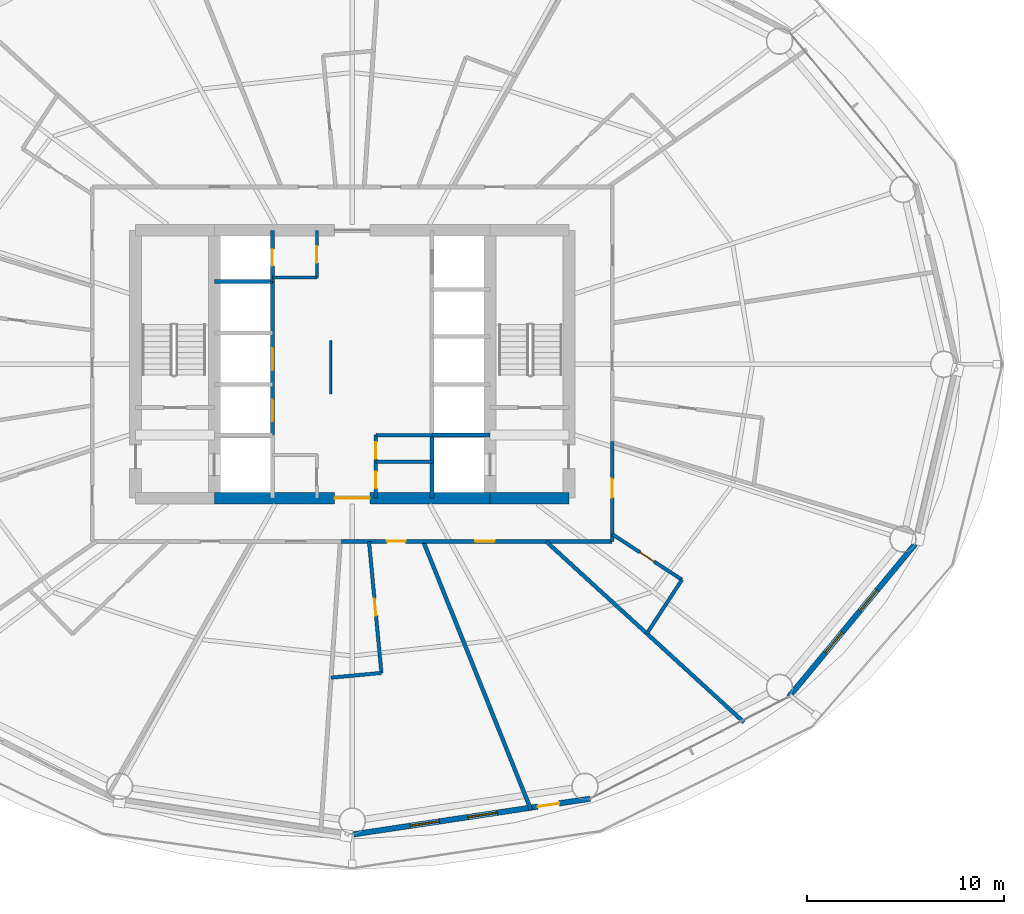
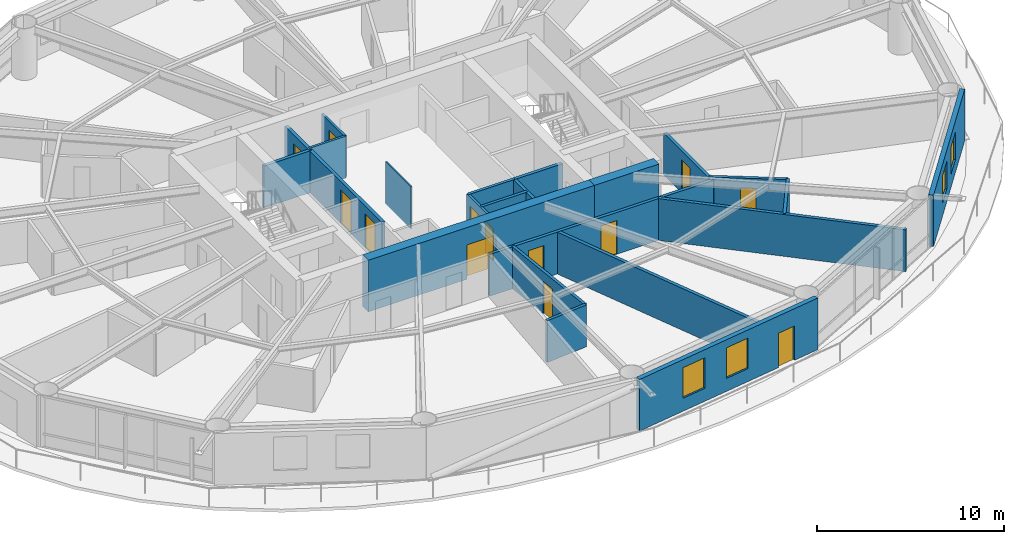
# One storey, part 21 of 26: 23 walls, 13 doors, 4 windows, 17 openings.
"""IFC4 building model written with IfcOpenShell, lengths in metres."""

from ifc_helpers import new_model, si_unit, direction, frame, frame_2d, origin, place, context, subcontext, project, spatial, rectangle, extrude, material, layer, layer_set, type_object, element, fill, save


model = new_model("IFC4")

# Units and contexts
model_context = context("Model", 3, precision=1e-05, world=origin(), true_north=direction((0.0, 1.0)))
body_context = subcontext(model_context, "Body", "Model", "MODEL_VIEW")
ifc_project = project(units=[si_unit("LENGTHUNIT", "METRE"), si_unit("AREAUNIT", "SQUARE_METRE"), si_unit("VOLUMEUNIT", "CUBIC_METRE"), si_unit("PLANEANGLEUNIT", "RADIAN"), si_unit("MASSUNIT", "GRAM", prefix="KILO")], contexts=[model_context])

# Site, building, storey
site_placement = place(None, origin())
site = spatial("IfcSite", under=ifc_project, at=site_placement, CompositionType="ELEMENT")
building_placement = place(site_placement, origin())
building = spatial("IfcBuilding", under=site, at=building_placement, Name="Sarneth Arch Tower", CompositionType="ELEMENT")
storey_placement = place(building_placement, frame((0.0, 0.0, 60.60009765625)))
storey = spatial("IfcBuildingStorey", under=building, at=storey_placement, Name="L14", CompositionType="ELEMENT", Elevation=60.60009765625)

# Wall, opening, door
ifc_material_1 = material(Name="Concrete C60/75", Category="concrete")
ifc_layer_1 = layer(ifc_material_1, 0.60009765625)
ifc_layer_set_1 = layer_set([ifc_layer_1], Name="Concrete C60/75")
wall_type_1 = type_object("IfcWallType", Name="WALL-CORE-600", PredefinedType="SHEAR", material=ifc_layer_set_1)
wall_1_placement = place(storey_placement, frame((41.0, 35.199951171875, 0.0), z_axis=(0.0, 0.0, 1.0), x_axis=(1.0, 0.0, 0.0)))
wall_1 = element("IfcWall", 1, at=wall_1_placement, inside=storey, type_object=wall_type_1, Name="L14 Core shear wall S-M", PredefinedType="SHEAR", context=body_context, shape_type="SweptSolid", body=[
    extrude(rectangle(XDim=14.0, YDim=0.60009765625, at=frame_2d((7.0, 0.0))), origin(), (0.0, 0.0, 1.0), 3.3798828125),
])
opening_1_placement = place(wall_1_placement, frame((6.10009765625, 0.0, 0.0)))
opening_1 = element("IfcOpeningElement", 2, at=opening_1_placement, cuts=wall_1, Name="Opening FD-01", PredefinedType="OPENING", context=body_context, shape_type="SweptSolid", body=[
    extrude(rectangle(XDim=1.800048828125, YDim=2.25, at=frame_2d((0.89990234375, 1.125))), frame((0.0, 0.31005859375, 0.0), z_axis=(0.0, -1.0, 0.0), x_axis=(1.0, 0.0, 0.0)), (0.0, 0.0, 1.0), 0.6201171875),
])
ifc_material_2 = material(Name="Galvanised Steel S275 fire door set", Category="steel")
door_type_1 = type_object("IfcDoorType", Name="DR-FD90-1800", OperationType="DOUBLE_DOOR_SINGLE_SWING", PredefinedType="DOOR", material=ifc_material_2)
door_1_placement = place(opening_1_placement, origin())
door_1 = element("IfcDoor", 3, at=door_1_placement, inside=storey, type_object=door_type_1, Name="L14 Central lift lobby south door", OperationType="DOUBLE_DOOR_SINGLE_SWING", OverallHeight=2.25, OverallWidth=1.800048828125, PredefinedType="DOOR", context=body_context, shape_type="SweptSolid", body=[
    extrude(rectangle(XDim=1.800048828125, YDim=2.25, at=frame_2d((0.89990234375, 1.125))), frame((0.0, 0.02490234375, 0.0), z_axis=(0.0, -1.0, 0.0), x_axis=(1.0, 0.0, 0.0)), (0.0, 0.0, 1.0), 0.050048828125),
])
fill(opening_1, door_1)

# Wall
wall_2_placement = place(storey_placement, frame((55.0, 35.199951171875, 0.0), z_axis=(0.0, 0.0, 1.0), x_axis=(1.0, 0.0, 0.0)))
element("IfcWall", 4, at=wall_2_placement, inside=storey, type_object=wall_type_1, Name="L14 Core shear wall S-E", PredefinedType="SHEAR", context=body_context, shape_type="SweptSolid", body=[
    extrude(rectangle(XDim=4.0, YDim=0.60009765625, at=frame_2d((2.0, 0.0))), origin(), (0.0, 0.0, 1.0), 3.3798828125),
])

# Wall, openings, doors
ifc_material_3 = material(Name="Double steel-stud corridor fire wall", Category="steel")
ifc_layer_2 = layer(ifc_material_3, 0.18994140625)
ifc_layer_set_2 = layer_set([ifc_layer_2], Name="Double steel-stud corridor fire wall")
wall_type_2 = type_object("IfcWallType", Name="WALL-CORR-190", PredefinedType="PARTITIONING", material=ifc_layer_set_2)
wall_3_placement = place(storey_placement, frame((61.199951171875, 33.0, 0.0), z_axis=(0.0, 0.0, 1.0), x_axis=(-1.0, 0.0, 0.0)))
wall_3 = element("IfcWall", 5, at=wall_3_placement, inside=storey, type_object=wall_type_2, Name="L14 Interior partition W-L14-TP-023", PredefinedType="PARTITIONING", context=body_context, shape_type="SweptSolid", body=[
    extrude(rectangle(XDim=13.8388671875, YDim=0.18994140625, at=frame_2d((6.91943359375, 0.0))), origin(), (0.0, 0.0, 1.0), 2.739990234375),
])
opening_2_placement = place(wall_3_placement, frame((5.96533203125, 0.0, 0.0)))
opening_2 = element("IfcOpeningElement", 6, at=opening_2_placement, cuts=wall_3, Name="Opening FD-08", PredefinedType="OPENING", context=body_context, shape_type="SweptSolid", body=[
    extrude(rectangle(XDim=1.0, YDim=2.199951171875, at=frame_2d((0.5, 1.10009765625))), frame((0.0, 0.10498046875, 0.0), z_axis=(0.0, -1.0, 0.0), x_axis=(1.0, 0.0, 0.0)), (0.0, 0.0, 1.0), 0.2099609375),
])
opening_3_placement = place(wall_3_placement, frame((10.493408203125, 0.0, 0.0)))
opening_3 = element("IfcOpeningElement", 7, at=opening_3_placement, cuts=wall_3, Name="Opening FD-09", PredefinedType="OPENING", context=body_context, shape_type="SweptSolid", body=[
    extrude(rectangle(XDim=0.949951171875, YDim=2.14990234375, at=frame_2d((0.47509765625, 1.074951171875))), frame((0.0, 0.10498046875, 0.0), z_axis=(0.0, -1.0, 0.0), x_axis=(1.0, 0.0, 0.0)), (0.0, 0.0, 1.0), 0.2099609375),
])
ifc_material_4 = material(Name="Hardwood timber acoustic fire door", Category="wood")
door_type_2 = type_object("IfcDoorType", Name="DR-FD60-1000", OperationType="SINGLE_SWING_LEFT", PredefinedType="DOOR", material=ifc_material_4)
door_2_placement = place(opening_2_placement, origin())
door_2 = element("IfcDoor", 8, at=door_2_placement, inside=storey, type_object=door_type_2, Name="L14 Interior door DR-L14-AMN-12", OperationType="SINGLE_SWING_LEFT", OverallHeight=2.199951171875, OverallWidth=1.0, PredefinedType="DOOR", context=body_context, shape_type="SweptSolid", body=[
    extrude(rectangle(XDim=1.0, YDim=2.199951171875, at=frame_2d((0.5, 1.10009765625))), frame((0.0, 0.02490234375, 0.0), z_axis=(0.0, -1.0, 0.0), x_axis=(1.0, 0.0, 0.0)), (0.0, 0.0, 1.0), 0.050048828125),
])
fill(opening_2, door_2)
ifc_material_5 = material(Name="Hardwood timber hotel entrance fire door", Category="wood")
door_type_3 = type_object("IfcDoorType", Name="DR-FD60-950", OperationType="SINGLE_SWING_RIGHT", PredefinedType="DOOR", material=ifc_material_5)
door_3_placement = place(opening_3_placement, origin())
door_3 = element("IfcDoor", 9, at=door_3_placement, inside=storey, type_object=door_type_3, Name="L14 Interior door DR-L14-KEY-11", OperationType="SINGLE_SWING_LEFT", OverallHeight=2.14990234375, OverallWidth=0.949951171875, PredefinedType="DOOR", context=body_context, shape_type="SweptSolid", body=[
    extrude(rectangle(XDim=0.949951171875, YDim=2.14990234375, at=frame_2d((0.47509765625, 1.074951171875))), frame((0.0, 0.02490234375, 0.0), z_axis=(0.0, -1.0, 0.0), x_axis=(1.0, 0.0, 0.0)), (0.0, 0.0, 1.0), 0.050048828125),
])
fill(opening_3, door_3)

# Wall, opening, door
wall_4_placement = place(storey_placement, frame((61.199951171875, 38.069580078125, 0.0), z_axis=(0.0, 0.0, 1.0), x_axis=(0.0, -1.0, 0.0)))
wall_4 = element("IfcWall", 10, at=wall_4_placement, inside=storey, type_object=wall_type_2, Name="L14 Interior partition W-L14-TP-024", PredefinedType="PARTITIONING", context=body_context, shape_type="SweptSolid", body=[
    extrude(rectangle(XDim=5.069580078125, YDim=0.18994140625, at=frame_2d((2.53466796875, 0.0))), origin(), (0.0, 0.0, 1.0), 2.739990234375),
])
opening_4_placement = place(wall_4_placement, frame((1.89306640625, 0.0, 0.0)))
opening_4 = element("IfcOpeningElement", 11, at=opening_4_placement, cuts=wall_4, Name="Opening FD-09", PredefinedType="OPENING", context=body_context, shape_type="SweptSolid", body=[
    extrude(rectangle(XDim=0.949951171875, YDim=2.14990234375, at=frame_2d((0.47509765625, 1.074951171875))), frame((0.0, 0.10498046875, 0.0), z_axis=(0.0, -1.0, 0.0), x_axis=(1.0, 0.0, 0.0)), (0.0, 0.0, 1.0), 0.2099609375),
])
door_4_placement = place(opening_4_placement, origin())
door_4 = element("IfcDoor", 12, at=door_4_placement, inside=storey, type_object=door_type_3, Name="L14 Interior door DR-L14-KEY-13", OperationType="SINGLE_SWING_RIGHT", OverallHeight=2.14990234375, OverallWidth=0.949951171875, PredefinedType="DOOR", context=body_context, shape_type="SweptSolid", body=[
    extrude(rectangle(XDim=0.949951171875, YDim=2.14990234375, at=frame_2d((0.47509765625, 1.074951171875))), frame((0.0, 0.02490234375, 0.0), z_axis=(0.0, -1.0, 0.0), x_axis=(1.0, 0.0, 0.0)), (0.0, 0.0, 1.0), 0.050048828125),
])
fill(opening_4, door_4)

# Wall, openings, door, windows
ifc_material_6 = material(Name="Extruded terracotta rainscreen on Concrete C40/50 backing", Category="masonry")
ifc_layer_3 = layer(ifc_material_6, 0.280029296875)
ifc_layer_set_3 = layer_set([ifc_layer_3], Name="Extruded terracotta rainscreen on Concrete C40/50 backing")
wall_type_3 = type_object("IfcWallType", Name="WALL-EXT-TERRA-280", PredefinedType="SOLIDWALL", material=ifc_layer_set_3)
wall_5_placement = place(storey_placement, frame((48.0, 18.1201171875, 0.0), z_axis=(0.0, 0.0, 1.0), x_axis=(0.988864835849, 0.148816452121, 0.0)))
wall_5 = element("IfcWall", 13, at=wall_5_placement, inside=storey, type_object=wall_type_3, Name="L14 Terracotta perimeter wall 13", PredefinedType="SOLIDWALL", context=body_context, shape_type="SweptSolid", body=[
    extrude(rectangle(XDim=12.2138671875, YDim=0.280029296875, at=frame_2d((6.10693359375, 0.0))), origin(), (0.0, 0.0, 1.0), 3.3798828125),
])
opening_5_placement = place(wall_5_placement, frame((2.9716796875, 0.0, 0.85009765625)))
opening_5 = element("IfcOpeningElement", 14, at=opening_5_placement, cuts=wall_5, Name="Opening W-06", PredefinedType="OPENING", context=body_context, shape_type="SweptSolid", body=[
    extrude(rectangle(XDim=1.5, YDim=2.0, at=frame_2d((0.75, 1.0))), frame((0.0, 0.14990234375, 0.0), z_axis=(0.0, -1.0, 0.0), x_axis=(1.0, 0.0, 0.0)), (0.0, 0.0, 1.0), 0.300048828125),
])
opening_6_placement = place(wall_5_placement, frame((5.9423828125, 0.0, 0.85009765625)))
opening_6 = element("IfcOpeningElement", 15, at=opening_6_placement, cuts=wall_5, Name="Opening W-06", PredefinedType="OPENING", context=body_context, shape_type="SweptSolid", body=[
    extrude(rectangle(XDim=1.5, YDim=2.0, at=frame_2d((0.75, 1.0))), frame((0.0, 0.14990234375, 0.0), z_axis=(0.0, -1.0, 0.0), x_axis=(1.0, 0.0, 0.0)), (0.0, 0.0, 1.0), 0.300048828125),
])
opening_7_placement = place(wall_5_placement, frame((9.520263671875, 0.0, 0.0)))
opening_7 = element("IfcOpeningElement", 16, at=opening_7_placement, cuts=wall_5, Name="Opening BD-3", PredefinedType="OPENING", context=body_context, shape_type="SweptSolid", body=[
    extrude(rectangle(XDim=1.10009765625, YDim=2.25, at=frame_2d((0.550048828125, 1.125))), frame((0.0, 0.14990234375, 0.0), z_axis=(0.0, -1.0, 0.0), x_axis=(1.0, 0.0, 0.0)), (0.0, 0.0, 1.0), 0.300048828125),
])
ifc_material_7 = material(Name="Thermally broken Aluminium 6063-T6 and laminated safety glass", Category="aluminium")
door_type_4 = type_object("IfcDoorType", Name="DR-BALC-GLZ-1100", OperationType="SINGLE_SWING_LEFT", PredefinedType="DOOR", material=ifc_material_7)
door_5_placement = place(opening_7_placement, origin())
door_5 = element("IfcDoor", 17, at=door_5_placement, inside=storey, type_object=door_type_4, Name="L14 Balcony glazed door 13", OperationType="SINGLE_SWING_LEFT", OverallHeight=2.25, OverallWidth=1.10009765625, PredefinedType="DOOR", context=body_context, shape_type="SweptSolid", body=[
    extrude(rectangle(XDim=1.10009765625, YDim=2.25, at=frame_2d((0.550048828125, 1.125))), frame((0.0, 0.02490234375, 0.0), z_axis=(0.0, -1.0, 0.0), x_axis=(1.0, 0.0, 0.0)), (0.0, 0.0, 1.0), 0.050048828125),
])
fill(opening_7, door_5)
ifc_material_8 = material(Name="Thermally broken Aluminium 6063-T6 and low-e laminated IGU", Category="aluminium")
window_type_1 = type_object("IfcWindowType", Name="WIN-TWR-1500x2000", PartitioningType="SINGLE_PANEL", PredefinedType="WINDOW", material=ifc_material_8)
window_1_placement = place(opening_5_placement, origin())
window_1 = element("IfcWindow", 18, at=window_1_placement, inside=storey, type_object=window_type_1, Name="L14 Exterior window 13A", OverallHeight=2.0, OverallWidth=1.5, PartitioningType="SINGLE_PANEL", PredefinedType="WINDOW", context=body_context, shape_type="SweptSolid", body=[
    extrude(rectangle(XDim=1.5, YDim=2.0, at=frame_2d((0.75, 1.0))), frame((0.0, 0.030029296875, 0.0), z_axis=(0.0, -1.0, 0.0), x_axis=(1.0, 0.0, 0.0)), (0.0, 0.0, 1.0), 0.06005859375),
])
fill(opening_5, window_1)
window_2_placement = place(opening_6_placement, origin())
window_2 = element("IfcWindow", 19, at=window_2_placement, inside=storey, type_object=window_type_1, Name="L14 Exterior window 13B", OverallHeight=2.0, OverallWidth=1.5, PartitioningType="SINGLE_PANEL", PredefinedType="WINDOW", context=body_context, shape_type="SweptSolid", body=[
    extrude(rectangle(XDim=1.5, YDim=2.0, at=frame_2d((0.75, 1.0))), frame((0.0, 0.030029296875, 0.0), z_axis=(0.0, -1.0, 0.0), x_axis=(1.0, 0.0, 0.0)), (0.0, 0.0, 1.0), 0.06005859375),
])
fill(opening_6, window_2)

# Wall, openings, windows
wall_6_placement = place(storey_placement, frame((70.174072265625, 25.1142578125, 0.0), z_axis=(0.0, 0.0, 1.0), x_axis=(0.637296809613, 0.770618437657, 0.0)))
wall_6 = element("IfcWall", 20, at=wall_6_placement, inside=storey, type_object=wall_type_3, Name="L14 Terracotta perimeter wall 15", PredefinedType="SOLIDWALL", context=body_context, shape_type="SweptSolid", body=[
    extrude(rectangle(XDim=10.053466796875, YDim=0.280029296875, at=frame_2d((5.02685546875, 0.0))), origin(), (0.0, 0.0, 1.0), 3.3798828125),
])
opening_8_placement = place(wall_6_placement, frame((2.89794921875, 0.0, 0.85009765625)))
opening_8 = element("IfcOpeningElement", 21, at=opening_8_placement, cuts=wall_6, Name="Opening W-08", PredefinedType="OPENING", context=body_context, shape_type="SweptSolid", body=[
    extrude(rectangle(XDim=1.35009765625, YDim=1.800048828125, at=frame_2d((0.675048828125, 0.89990234375))), frame((0.0, 0.14990234375, 0.0), z_axis=(0.0, -1.0, 0.0), x_axis=(1.0, 0.0, 0.0)), (0.0, 0.0, 1.0), 0.300048828125),
])
opening_9_placement = place(wall_6_placement, frame((5.6796875, 0.0, 0.85009765625)))
opening_9 = element("IfcOpeningElement", 22, at=opening_9_placement, cuts=wall_6, Name="Opening W-08", PredefinedType="OPENING", context=body_context, shape_type="SweptSolid", body=[
    extrude(rectangle(XDim=1.35009765625, YDim=1.800048828125, at=frame_2d((0.675048828125, 0.89990234375))), frame((0.0, 0.14990234375, 0.0), z_axis=(0.0, -1.0, 0.0), x_axis=(1.0, 0.0, 0.0)), (0.0, 0.0, 1.0), 0.300048828125),
])
ifc_material_9 = material(Name="Thermally broken Aluminium 6063-T6 and low-e laminated IGU", Category="aluminium")
window_type_2 = type_object("IfcWindowType", Name="WIN-TWR-1350x1800", PartitioningType="SINGLE_PANEL", PredefinedType="WINDOW", material=ifc_material_9)
window_3_placement = place(opening_8_placement, origin())
window_3 = element("IfcWindow", 23, at=window_3_placement, inside=storey, type_object=window_type_2, Name="L14 Exterior window 15A", OverallHeight=1.800048828125, OverallWidth=1.35009765625, PartitioningType="SINGLE_PANEL", PredefinedType="WINDOW", context=body_context, shape_type="SweptSolid", body=[
    extrude(rectangle(XDim=1.35009765625, YDim=1.800048828125, at=frame_2d((0.675048828125, 0.89990234375))), frame((0.0, 0.030029296875, 0.0), z_axis=(0.0, -1.0, 0.0), x_axis=(1.0, 0.0, 0.0)), (0.0, 0.0, 1.0), 0.06005859375),
])
fill(opening_8, window_3)
window_4_placement = place(opening_9_placement, origin())
window_4 = element("IfcWindow", 24, at=window_4_placement, inside=storey, type_object=window_type_2, Name="L14 Exterior window 15B", OverallHeight=1.800048828125, OverallWidth=1.35009765625, PartitioningType="SINGLE_PANEL", PredefinedType="WINDOW", context=body_context, shape_type="SweptSolid", body=[
    extrude(rectangle(XDim=1.35009765625, YDim=1.800048828125, at=frame_2d((0.675048828125, 0.89990234375))), frame((0.0, 0.030029296875, 0.0), z_axis=(0.0, -1.0, 0.0), x_axis=(1.0, 0.0, 0.0)), (0.0, 0.0, 1.0), 0.06005859375),
])
fill(opening_9, window_4)

# Walls
ifc_material_10 = material(Name="Demountable acoustic operable wall", Category="aluminium")
ifc_layer_4 = layer(ifc_material_10, 0.10009765625)
ifc_layer_set_4 = layer_set([ifc_layer_4], Name="Demountable acoustic operable wall")
wall_type_4 = type_object("IfcWallType", Name="WALL-MOVABLE-100", PredefinedType="MOVABLE", material=ifc_layer_set_4)
wall_7_placement = place(storey_placement, frame((46.89990234375, 40.5, 0.0), z_axis=(0.0, 0.0, 1.0), x_axis=(0.0, 1.0, 0.0)))
element("IfcWall", 25, at=wall_7_placement, inside=storey, type_object=wall_type_4, Name="L14 Lobby acoustic screen 3", PredefinedType="MOVABLE", context=body_context, shape_type="SweptSolid", body=[
    extrude(rectangle(XDim=2.699951171875, YDim=0.10009765625, at=frame_2d((1.35009765625, 0.0))), origin(), (0.0, 0.0, 1.0), 2.739990234375),
])
ifc_material_11 = material(Name="Acoustic gypsum stud partition", Category="gypsum")
ifc_layer_5 = layer(ifc_material_11, 0.14990234375)
ifc_layer_set_5 = layer_set([ifc_layer_5], Name="Acoustic gypsum stud partition")
wall_type_5 = type_object("IfcWallType", Name="WALL-PART-150", PredefinedType="PARTITIONING", material=ifc_layer_set_5)
wall_8_placement = place(storey_placement, frame((43.949951171875, 46.39990234375, 0.0), z_axis=(0.0, 0.0, 1.0), x_axis=(1.0, 0.0, 0.0)))
element("IfcWall", 26, at=wall_8_placement, inside=storey, type_object=wall_type_5, Name="L14 Interior partition W-L14-CSUP2-S", PredefinedType="PARTITIONING", context=body_context, shape_type="SweptSolid", body=[
    extrude(rectangle(XDim=2.25, YDim=0.14990234375, at=frame_2d((1.125, 0.0))), origin(), (0.0, 0.0, 1.0), 2.739990234375),
])

# Wall, opening, door
wall_9_placement = place(storey_placement, frame((46.199951171875, 46.39990234375, 0.0), z_axis=(0.0, 0.0, 1.0), x_axis=(0.0, 1.0, 0.0)))
wall_9 = element("IfcWall", 27, at=wall_9_placement, inside=storey, type_object=wall_type_5, Name="L14 Interior partition W-L14-CSUP2-E", PredefinedType="PARTITIONING", context=body_context, shape_type="SweptSolid", body=[
    extrude(rectangle(XDim=2.400146484375, YDim=0.14990234375, at=frame_2d((1.2001953125, 0.0))), origin(), (0.0, 0.0, 1.0), 2.739990234375),
])
opening_10_placement = place(wall_9_placement, frame((0.75, 0.0, 0.0)))
opening_10 = element("IfcOpeningElement", 28, at=opening_10_placement, cuts=wall_9, Name="Opening FD-11", PredefinedType="OPENING", context=body_context, shape_type="SweptSolid", body=[
    extrude(rectangle(XDim=0.85009765625, YDim=2.14990234375, at=frame_2d((0.425048828125, 1.074951171875))), frame((0.0, 0.0849609375, 0.0), z_axis=(0.0, -1.0, 0.0), x_axis=(1.0, 0.0, 0.0)), (0.0, 0.0, 1.0), 0.169921875),
])
ifc_material_12 = material(Name="Galvanised Steel S275 closet fire door", Category="steel")
door_type_5 = type_object("IfcDoorType", Name="DR-FD60-850", OperationType="SINGLE_SWING_LEFT", PredefinedType="DOOR", material=ifc_material_12)
door_6_placement = place(opening_10_placement, origin())
door_6 = element("IfcDoor", 29, at=door_6_placement, inside=storey, type_object=door_type_5, Name="L14 Interior door DR-L14-CSUP2", OperationType="SINGLE_SWING_RIGHT", OverallHeight=2.14990234375, OverallWidth=0.85009765625, PredefinedType="DOOR", context=body_context, shape_type="SweptSolid", body=[
    extrude(rectangle(XDim=0.85009765625, YDim=2.14990234375, at=frame_2d((0.425048828125, 1.074951171875))), frame((0.0, 0.02490234375, 0.0), z_axis=(0.0, -1.0, 0.0), x_axis=(1.0, 0.0, 0.0)), (0.0, 0.0, 1.0), 0.050048828125),
])
fill(opening_10, door_6)

# Walls
ifc_material_13 = material(Name="Moisture-resistant plumbing chase wall", Category="gypsum")
ifc_layer_6 = layer(ifc_material_13, 0.179931640625)
ifc_layer_set_6 = layer_set([ifc_layer_6], Name="Moisture-resistant plumbing chase wall")
wall_type_6 = type_object("IfcWallType", Name="WALL-PLUMB-180", PredefinedType="PLUMBINGWALL", material=ifc_layer_set_6)
for number, where, z_axis, x_axis, name in (
    (30, (49.199951171875, 37.050048828125, 0.0), (0.0, 0.0, 1.0), (1.0, 0.0, 0.0), "L14 Interior partition W-L14-AWC-M"),
    (31, (49.199951171875, 38.39990234375, 0.0), (0.0, 0.0, 1.0), (1.0, 0.0, 0.0), "L14 Interior partition W-L14-AWC-N"),
):
    element("IfcWall", number, at=place(storey_placement, frame(where, z_axis=z_axis, x_axis=x_axis)), inside=storey, type_object=wall_type_6, Name=name, PredefinedType="PLUMBINGWALL", context=body_context, shape_type="SweptSolid", body=[
        extrude(rectangle(XDim=2.85009765625, YDim=0.179931640625, at=frame_2d((1.425048828125, 0.0))), origin(), (0.0, 0.0, 1.0), 2.739990234375),
    ])

# Wall, openings, doors
wall_10_placement = place(storey_placement, frame((49.199951171875, 35.199951171875, 0.0), z_axis=(0.0, 0.0, 1.0), x_axis=(0.0, 1.0, 0.0)))
wall_10 = element("IfcWall", 32, at=wall_10_placement, inside=storey, type_object=wall_type_6, Name="L14 Interior partition W-L14-AWC-W", PredefinedType="PLUMBINGWALL", context=body_context, shape_type="SweptSolid", body=[
    extrude(rectangle(XDim=3.199951171875, YDim=0.179931640625, at=frame_2d((1.60009765625, 0.0))), origin(), (0.0, 0.0, 1.0), 2.739990234375),
])
opening_11_placement = place(wall_10_placement, frame((0.5, 0.0, 0.0)))
opening_11 = element("IfcOpeningElement", 33, at=opening_11_placement, cuts=wall_10, Name="Opening ID-02", PredefinedType="OPENING", context=body_context, shape_type="SweptSolid", body=[
    extrude(rectangle(XDim=0.85009765625, YDim=2.10009765625, at=frame_2d((0.425048828125, 1.050048828125))), frame((0.0, 0.099853515625, 0.0), z_axis=(0.0, -1.0, 0.0), x_axis=(1.0, 0.0, 0.0)), (0.0, 0.0, 1.0), 0.199951171875),
])
opening_12_placement = place(wall_10_placement, frame((2.0, 0.0, 0.0)))
opening_12 = element("IfcOpeningElement", 34, at=opening_12_placement, cuts=wall_10, Name="Opening FD-11", PredefinedType="OPENING", context=body_context, shape_type="SweptSolid", body=[
    extrude(rectangle(XDim=0.85009765625, YDim=2.14990234375, at=frame_2d((0.425048828125, 1.074951171875))), frame((0.0, 0.099853515625, 0.0), z_axis=(0.0, -1.0, 0.0), x_axis=(1.0, 0.0, 0.0)), (0.0, 0.0, 1.0), 0.199951171875),
])
door_7_placement = place(opening_12_placement, origin())
door_7 = element("IfcDoor", 35, at=door_7_placement, inside=storey, type_object=door_type_5, Name="L14 Interior door DR-L14-CSUP3", OperationType="SINGLE_SWING_LEFT", OverallHeight=2.14990234375, OverallWidth=0.85009765625, PredefinedType="DOOR", context=body_context, shape_type="SweptSolid", body=[
    extrude(rectangle(XDim=0.85009765625, YDim=2.14990234375, at=frame_2d((0.425048828125, 1.074951171875))), frame((0.0, 0.02490234375, 0.0), z_axis=(0.0, -1.0, 0.0), x_axis=(1.0, 0.0, 0.0)), (0.0, 0.0, 1.0), 0.050048828125),
])
fill(opening_12, door_7)
ifc_material_14 = material(Name="Moisture-resistant bathroom timber door", Category="wood")
door_type_6 = type_object("IfcDoorType", Name="DR-INT-850", OperationType="SINGLE_SWING_RIGHT", PredefinedType="DOOR", material=ifc_material_14)
door_8_placement = place(opening_11_placement, origin())
door_8 = element("IfcDoor", 36, at=door_8_placement, inside=storey, type_object=door_type_6, Name="L14 Interior door DR-L14-AWC", OperationType="SINGLE_SWING_RIGHT", OverallHeight=2.10009765625, OverallWidth=0.85009765625, PredefinedType="DOOR", context=body_context, shape_type="SweptSolid", body=[
    extrude(rectangle(XDim=0.85009765625, YDim=2.10009765625, at=frame_2d((0.425048828125, 1.050048828125))), frame((0.0, 0.02490234375, 0.0), z_axis=(0.0, -1.0, 0.0), x_axis=(1.0, 0.0, 0.0)), (0.0, 0.0, 1.0), 0.050048828125),
])
fill(opening_11, door_8)

# Wall, opening, door
wall_11_placement = place(storey_placement, frame((49.481689453125, 26.326171875, 0.0), z_axis=(0.0, 0.0, 1.0), x_axis=(-0.094107851527, 0.995562008255, 0.0)))
wall_11 = element("IfcWall", 37, at=wall_11_placement, inside=storey, type_object=wall_type_6, Name="L14 Interior partition W-L14-TP-063", PredefinedType="PLUMBINGWALL", context=body_context, shape_type="SweptSolid", body=[
    extrude(rectangle(XDim=6.70361328125, YDim=0.179931640625, at=frame_2d((3.351806640625, 0.0))), origin(), (0.0, 0.0, 1.0), 2.739990234375),
])
opening_13_placement = place(wall_11_placement, frame((2.9267578125, 0.0, 0.0)))
opening_13 = element("IfcOpeningElement", 38, at=opening_13_placement, cuts=wall_11, Name="Opening ID-02", PredefinedType="OPENING", context=body_context, shape_type="SweptSolid", body=[
    extrude(rectangle(XDim=0.85009765625, YDim=2.10009765625, at=frame_2d((0.425048828125, 1.050048828125))), frame((0.0, 0.099853515625, 0.0), z_axis=(0.0, -1.0, 0.0), x_axis=(1.0, 0.0, 0.0)), (0.0, 0.0, 1.0), 0.199951171875),
])
door_9_placement = place(opening_13_placement, origin())
door_9 = element("IfcDoor", 39, at=door_9_placement, inside=storey, type_object=door_type_6, Name="L14 Interior door DR-L14-ENS-11", OperationType="SINGLE_SWING_RIGHT", OverallHeight=2.10009765625, OverallWidth=0.85009765625, PredefinedType="DOOR", context=body_context, shape_type="SweptSolid", body=[
    extrude(rectangle(XDim=0.85009765625, YDim=2.10009765625, at=frame_2d((0.425048828125, 1.050048828125))), frame((0.0, 0.02490234375, 0.0), z_axis=(0.0, -1.0, 0.0), x_axis=(1.0, 0.0, 0.0)), (0.0, 0.0, 1.0), 0.050048828125),
])
fill(opening_13, door_9)

wall_12_placement = place(storey_placement, frame((64.74169921875, 31.056396484375, 0.0), z_axis=(0.0, 0.0, 1.0), x_axis=(-0.837031612028, 0.5471545307, 0.0)))
wall_12 = element("IfcWall", 40, at=wall_12_placement, inside=storey, type_object=wall_type_6, Name="L14 Interior partition W-L14-TP-068", PredefinedType="PLUMBINGWALL", context=body_context, shape_type="SweptSolid", body=[
    extrude(rectangle(XDim=4.231201171875, YDim=0.179931640625, at=frame_2d((2.11572265625, 0.0))), origin(), (0.0, 0.0, 1.0), 2.739990234375),
])
opening_14_placement = place(wall_12_placement, frame((1.690673828125, 0.0, 0.0)))
opening_14 = element("IfcOpeningElement", 41, at=opening_14_placement, cuts=wall_12, Name="Opening ID-02", PredefinedType="OPENING", context=body_context, shape_type="SweptSolid", body=[
    extrude(rectangle(XDim=0.85009765625, YDim=2.10009765625, at=frame_2d((0.425048828125, 1.050048828125))), frame((0.0, 0.099853515625, 0.0), z_axis=(0.0, -1.0, 0.0), x_axis=(1.0, 0.0, 0.0)), (0.0, 0.0, 1.0), 0.199951171875),
])
door_10_placement = place(opening_14_placement, origin())
door_10 = element("IfcDoor", 42, at=door_10_placement, inside=storey, type_object=door_type_6, Name="L14 Interior door DR-L14-ENS-13", OperationType="SINGLE_SWING_LEFT", OverallHeight=2.10009765625, OverallWidth=0.85009765625, PredefinedType="DOOR", context=body_context, shape_type="SweptSolid", body=[
    extrude(rectangle(XDim=0.85009765625, YDim=2.10009765625, at=frame_2d((0.425048828125, 1.050048828125))), frame((0.0, 0.02490234375, 0.0), z_axis=(0.0, -1.0, 0.0), x_axis=(1.0, 0.0, 0.0)), (0.0, 0.0, 1.0), 0.050048828125),
])
fill(opening_14, door_10)

# Walls
wall_13_placement = place(storey_placement, frame((62.9580078125, 28.327880859375, 0.0), z_axis=(0.0, 0.0, 1.0), x_axis=(0.547176717469, 0.837017108463, 0.0)))
element("IfcWall", 43, at=wall_13_placement, inside=storey, type_object=wall_type_6, Name="L14 Interior partition W-L14-TP-067", PredefinedType="PLUMBINGWALL", context=body_context, shape_type="SweptSolid", body=[
    extrude(rectangle(XDim=3.259765625, YDim=0.179931640625, at=frame_2d((1.6298828125, 0.0))), origin(), (0.0, 0.0, 1.0), 2.739990234375),
])
wall_14_placement = place(storey_placement, frame((46.927001953125, 26.084716796875, 0.0), z_axis=(0.0, 0.0, 1.0), x_axis=(0.995563205557, 0.09409518447, 0.0)))
element("IfcWall", 44, at=wall_14_placement, inside=storey, type_object=wall_type_6, Name="L14 Interior partition W-L14-TP-062", PredefinedType="PLUMBINGWALL", context=body_context, shape_type="SweptSolid", body=[
    extrude(rectangle(XDim=2.566162109375, YDim=0.179931640625, at=frame_2d((1.283203125, 0.0))), origin(), (0.0, 0.0, 1.0), 2.739990234375),
])
ifc_material_15 = material(Name="Aerated concrete blockwork C25/30", Category="masonry")
ifc_layer_7 = layer(ifc_material_15, 0.199951171875)
ifc_layer_set_7 = layer_set([ifc_layer_7], Name="Aerated concrete blockwork C25/30")
wall_type_7 = type_object("IfcWallType", Name="WALL-SHAFT-200", PredefinedType="SOLIDWALL", material=ifc_layer_set_7)
wall_15_placement = place(storey_placement, frame((52.050048828125, 35.199951171875, 0.0), z_axis=(0.0, 0.0, 1.0), x_axis=(0.0, 1.0, 0.0)))
element("IfcWall", 45, at=wall_15_placement, inside=storey, type_object=wall_type_7, Name="L14 Interior partition W-L14-FL2-W", PredefinedType="SOLIDWALL", context=body_context, shape_type="SweptSolid", body=[
    extrude(rectangle(XDim=3.199951171875, YDim=0.199951171875, at=frame_2d((1.60009765625, 0.0))), origin(), (0.0, 0.0, 1.0), 2.739990234375),
])
for number, where, z_axis, x_axis, name in (
    (46, (52.050048828125, 38.39990234375, 0.0), (0.0, 0.0, 1.0), (1.0, 0.0, 0.0), "L14 Interior partition W-L14-FL2-N"),
    (47, (41.0, 46.199951171875, 0.0), (0.0, 0.0, 1.0), (1.0, 0.0, 0.0), "L14 Interior partition W-L14-RISER-S"),
):
    element("IfcWall", number, at=place(storey_placement, frame(where, z_axis=z_axis, x_axis=x_axis)), inside=storey, type_object=wall_type_7, Name=name, PredefinedType="SOLIDWALL", context=body_context, shape_type="SweptSolid", body=[
        extrude(rectangle(XDim=2.949951171875, YDim=0.199951171875, at=frame_2d((1.47509765625, 0.0))), origin(), (0.0, 0.0, 1.0), 2.739990234375),
    ])

# Wall, opening, door
wall_16_placement = place(storey_placement, frame((43.949951171875, 46.199951171875, 0.0), z_axis=(0.0, 0.0, 1.0), x_axis=(0.0, 1.0, 0.0)))
wall_16 = element("IfcWall", 48, at=wall_16_placement, inside=storey, type_object=wall_type_7, Name="L14 Interior partition W-L14-RISER-E", PredefinedType="SOLIDWALL", context=body_context, shape_type="SweptSolid", body=[
    extrude(rectangle(XDim=2.60009765625, YDim=0.199951171875, at=frame_2d((1.300048828125, 0.0))), origin(), (0.0, 0.0, 1.0), 2.739990234375),
])
opening_15_placement = place(wall_16_placement, frame((0.800048828125, 0.0, 0.0)))
opening_15 = element("IfcOpeningElement", 49, at=opening_15_placement, cuts=wall_16, Name="Opening FD-11", PredefinedType="OPENING", context=body_context, shape_type="SweptSolid", body=[
    extrude(rectangle(XDim=0.85009765625, YDim=2.14990234375, at=frame_2d((0.425048828125, 1.074951171875))), frame((0.0, 0.10986328125, 0.0), z_axis=(0.0, -1.0, 0.0), x_axis=(1.0, 0.0, 0.0)), (0.0, 0.0, 1.0), 0.219970703125),
])
door_11_placement = place(opening_15_placement, origin())
door_11 = element("IfcDoor", 50, at=door_11_placement, inside=storey, type_object=door_type_5, Name="L14 Lift landing door DR-L14-RISER", OperationType="SINGLE_SWING_LEFT", OverallHeight=2.14990234375, OverallWidth=0.85009765625, PredefinedType="DOOR", context=body_context, shape_type="SweptSolid", body=[
    extrude(rectangle(XDim=0.85009765625, YDim=2.14990234375, at=frame_2d((0.425048828125, 1.074951171875))), frame((0.0, 0.02490234375, 0.0), z_axis=(0.0, -1.0, 0.0), x_axis=(1.0, 0.0, 0.0)), (0.0, 0.0, 1.0), 0.050048828125),
])
fill(opening_15, door_11)

# Wall, openings, doors
wall_17_placement = place(storey_placement, frame((43.949951171875, 38.39990234375, 0.0), z_axis=(0.0, 0.0, 1.0), x_axis=(0.0, 1.0, 0.0)))
wall_17 = element("IfcWall", 51, at=wall_17_placement, inside=storey, type_object=wall_type_7, Name="L14 Interior partition W-L14-WESTBANK-FRONT", PredefinedType="SOLIDWALL", context=body_context, shape_type="SweptSolid", body=[
    extrude(rectangle(XDim=7.800048828125, YDim=0.199951171875, at=frame_2d((3.89990234375, 0.0))), origin(), (0.0, 0.0, 1.0), 2.739990234375),
])
opening_16_placement = place(wall_17_placement, frame((0.699951171875, 0.0, 0.0)))
opening_16 = element("IfcOpeningElement", 52, at=opening_16_placement, cuts=wall_17, Name="Opening LD-1", PredefinedType="OPENING", context=body_context, shape_type="SweptSolid", body=[
    extrude(rectangle(XDim=1.10009765625, YDim=2.199951171875, at=frame_2d((0.550048828125, 1.10009765625))), frame((0.0, 0.10986328125, 0.0), z_axis=(0.0, -1.0, 0.0), x_axis=(1.0, 0.0, 0.0)), (0.0, 0.0, 1.0), 0.219970703125),
])
opening_17_placement = place(wall_17_placement, frame((3.300048828125, 0.0, 0.0)))
opening_17 = element("IfcOpeningElement", 53, at=opening_17_placement, cuts=wall_17, Name="Opening LD-1", PredefinedType="OPENING", context=body_context, shape_type="SweptSolid", body=[
    extrude(rectangle(XDim=1.10009765625, YDim=2.199951171875, at=frame_2d((0.550048828125, 1.10009765625))), frame((0.0, 0.10986328125, 0.0), z_axis=(0.0, -1.0, 0.0), x_axis=(1.0, 0.0, 0.0)), (0.0, 0.0, 1.0), 0.219970703125),
])
ifc_material_16 = material(Name="Brushed Stainless Steel 304 lift landing door", Category="steel")
door_type_7 = type_object("IfcDoorType", Name="DR-LIFT-SLIDE-1100", OperationType="SLIDING_TO_LEFT", PredefinedType="DOOR", material=ifc_material_16)
door_12_placement = place(opening_16_placement, origin())
door_12 = element("IfcDoor", 54, at=door_12_placement, inside=storey, type_object=door_type_7, Name="L14 Lift landing door DR-L14-LD-PL1", OperationType="SLIDING_TO_LEFT", OverallHeight=2.199951171875, OverallWidth=1.10009765625, PredefinedType="DOOR", context=body_context, shape_type="SweptSolid", body=[
    extrude(rectangle(XDim=1.10009765625, YDim=2.199951171875, at=frame_2d((0.550048828125, 1.10009765625))), frame((0.0, 0.02490234375, 0.0), z_axis=(0.0, -1.0, 0.0), x_axis=(1.0, 0.0, 0.0)), (0.0, 0.0, 1.0), 0.050048828125),
])
fill(opening_16, door_12)
door_13_placement = place(opening_17_placement, origin())
door_13 = element("IfcDoor", 55, at=door_13_placement, inside=storey, type_object=door_type_7, Name="L14 Lift landing door DR-L14-LD-PL2", OperationType="SLIDING_TO_RIGHT", OverallHeight=2.199951171875, OverallWidth=1.10009765625, PredefinedType="DOOR", context=body_context, shape_type="SweptSolid", body=[
    extrude(rectangle(XDim=1.10009765625, YDim=2.199951171875, at=frame_2d((0.550048828125, 1.10009765625))), frame((0.0, 0.02490234375, 0.0), z_axis=(0.0, -1.0, 0.0), x_axis=(1.0, 0.0, 0.0)), (0.0, 0.0, 1.0), 0.050048828125),
])
fill(opening_17, door_13)

# Walls
ifc_material_17 = material(Name="Double steel-stud acoustic drywall", Category="steel")
ifc_layer_8 = layer(ifc_material_17, 0.199951171875)
ifc_layer_set_8 = layer_set([ifc_layer_8], Name="Double steel-stud acoustic drywall")
wall_type_8 = type_object("IfcWallType", Name="WALL-UNIT-200", PredefinedType="PARTITIONING", material=ifc_layer_set_8)
wall_18_placement = place(storey_placement, frame((51.610107421875, 33.0, 0.0), z_axis=(0.0, 0.0, 1.0), x_axis=(0.372301847193, -0.928111703717, 0.0)))
element("IfcWall", 56, at=wall_18_placement, inside=storey, type_object=wall_type_8, Name="L14 Interior partition W-L14-TP-064", PredefinedType="PARTITIONING", context=body_context, shape_type="SweptSolid", body=[
    extrude(rectangle(XDim=14.687744140625, YDim=0.199951171875, at=frame_2d((7.34375, 0.0))), origin(), (0.0, 0.0, 1.0), 2.739990234375),
])
wall_19_placement = place(storey_placement, frame((57.846435546875, 33.0, 0.0), z_axis=(0.0, 0.0, 1.0), x_axis=(0.738119160364, -0.674670367738, 0.0)))
element("IfcWall", 57, at=wall_19_placement, inside=storey, type_object=wall_type_8, Name="L14 Interior partition W-L14-TP-066", PredefinedType="PARTITIONING", context=body_context, shape_type="SweptSolid", body=[
    extrude(rectangle(XDim=13.60986328125, YDim=0.199951171875, at=frame_2d((6.804931640625, 0.0))), origin(), (0.0, 0.0, 1.0), 2.739990234375),
])

save(model, "model.ifc")
